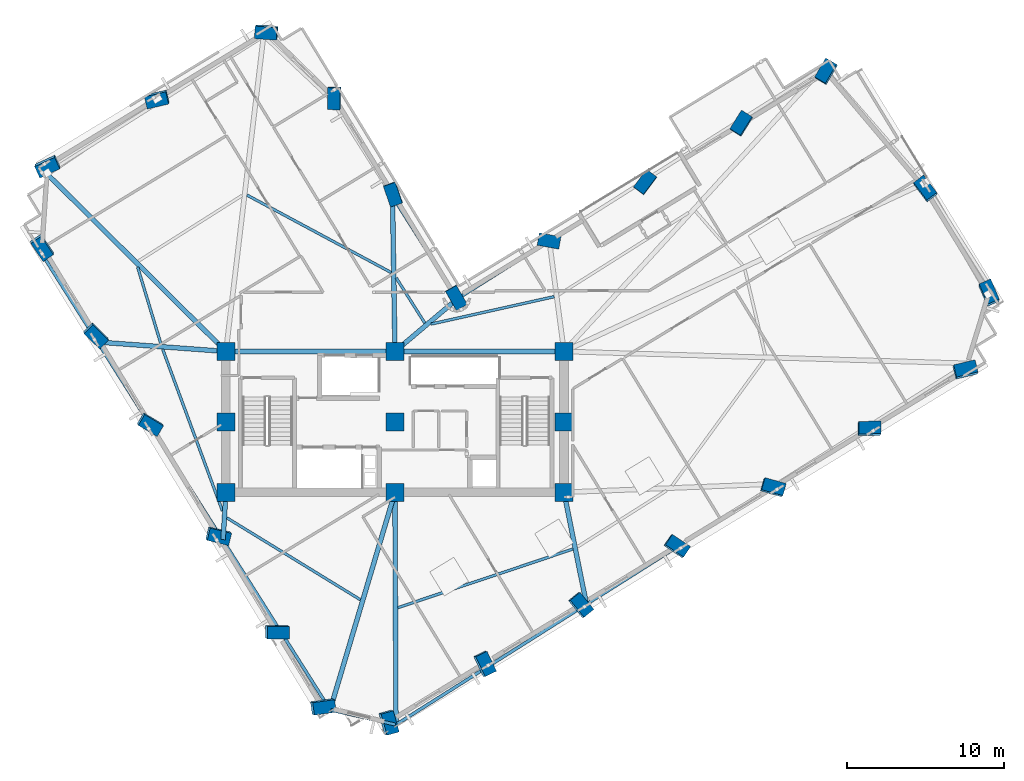
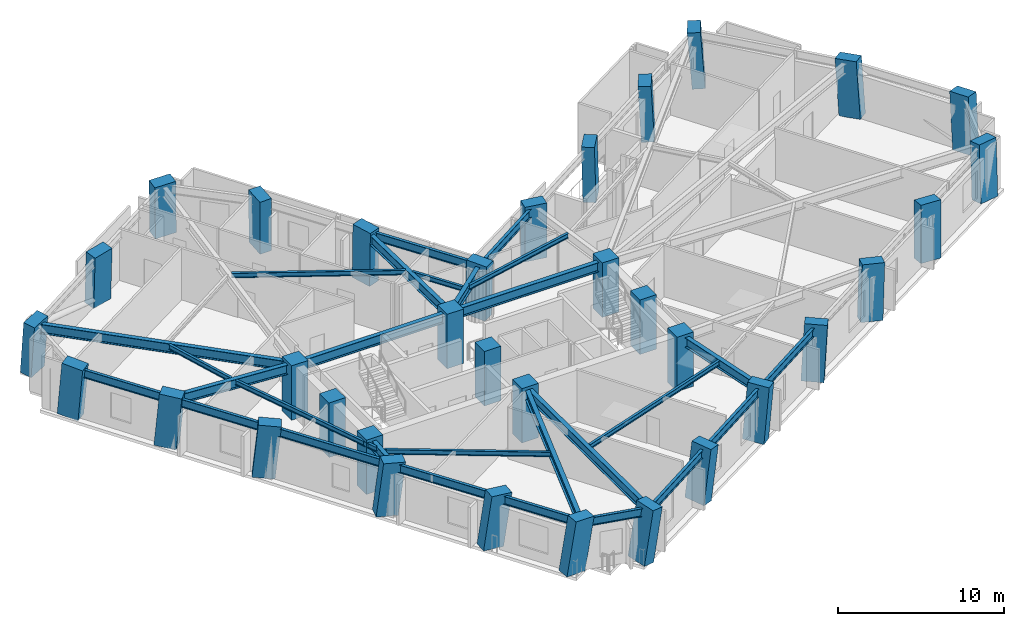
# One storey, part 1 of 14: 34 columns, 28 beams.
"""IFC4 building model written with IfcOpenShell, lengths in metres."""

from ifc_helpers import new_model, si_unit, direction, frame, origin, origin_2d, place, context, subcontext, project, spatial, rectangle, i_section, extrude, material, material_profile, profile_set, type_object, element, save


model = new_model("IFC4")

# Units and contexts
model_context = context("Model", 3, precision=1e-05, world=origin(), true_north=direction((0.0, 1.0)))
body_context = subcontext(model_context, "Body", "Model", "MODEL_VIEW")
ifc_project = project(units=[si_unit("LENGTHUNIT", "METRE"), si_unit("AREAUNIT", "SQUARE_METRE"), si_unit("VOLUMEUNIT", "CUBIC_METRE"), si_unit("PLANEANGLEUNIT", "RADIAN"), si_unit("MASSUNIT", "GRAM", prefix="KILO")], contexts=[model_context])

# Site, building, storey
site_placement = place(None, origin())
site = spatial("IfcSite", under=ifc_project, at=site_placement, CompositionType="ELEMENT")
building_placement = place(site_placement, origin())
building = spatial("IfcBuilding", under=site, at=building_placement, Name="Gaonmaruhae Medical Tower", CompositionType="ELEMENT")
storey_placement = place(building_placement, frame((0.0, 0.0, 157.800048828125)))
storey = spatial("IfcBuildingStorey", under=building, at=storey_placement, Name="L37", CompositionType="ELEMENT", Elevation=157.800048828125)

# Columns
ifc_material_1 = material(Name="Concrete C50/60", Category="concrete")
ifc_material_profile_1 = material_profile(ifc_material_1, rectangle(XDim=1.14990234375, YDim=1.14990234375, at=origin_2d()), Name="RC-1150x1150")
ifc_profile_set_1 = profile_set([ifc_material_profile_1], Name="Concrete C50/60")
column_type_1 = type_object("IfcColumnType", Name="CC-04 Zone 3 Core Column (RC-1150x1150)", PredefinedType="COLUMN", material=ifc_profile_set_1)
for number, where, z_axis, x_axis, name in (
    (1, (14.0, 7.800048828125, 0.0), (0.0, 0.0, 1.0), (1.0, 0.0, 0.0), "L37 Plumb Core Column CC11"),
    (2, (14.0, 12.300048828125, 0.0), (0.0, 0.0, 1.0), (1.0, 0.0, 0.0), "L37 Plumb Core Column CC12"),
    (3, (14.0, 16.800048828125, 0.0), (0.0, 0.0, 1.0), (1.0, 0.0, 0.0), "L37 Plumb Core Column CC13"),
    (4, (24.800048828125, 7.800048828125, 0.0), (0.0, 0.0, 1.0), (1.0, 0.0, 0.0), "L37 Plumb Core Column CC21"),
    (5, (24.800048828125, 12.300048828125, 0.0), (0.0, 0.0, 1.0), (1.0, 0.0, 0.0), "L37 Plumb Core Column CC22"),
    (6, (24.800048828125, 16.800048828125, 0.0), (0.0, 0.0, 1.0), (1.0, 0.0, 0.0), "L37 Plumb Core Column CC23"),
    (7, (35.60009765625, 7.800048828125, 0.0), (0.0, 0.0, 1.0), (1.0, 0.0, 0.0), "L37 Plumb Core Column CC31"),
    (8, (35.60009765625, 12.300048828125, 0.0), (0.0, 0.0, 1.0), (1.0, 0.0, 0.0), "L37 Plumb Core Column CC32"),
    (9, (35.60009765625, 16.800048828125, 0.0), (0.0, 0.0, 1.0), (1.0, 0.0, 0.0), "L37 Plumb Core Column CC33"),
):
    element("IfcColumn", number, at=place(storey_placement, frame(where, z_axis=z_axis, x_axis=x_axis)), inside=storey, type_object=column_type_1, Name=name, PredefinedType="COLUMN", context=body_context, shape_type="SweptSolid", body=[
        extrude(rectangle(XDim=1.14990234375, YDim=1.14990234375, at=origin_2d()), origin(), (0.0, 0.0, 1.0), 4.0),
    ])
ifc_material_2 = material(Name="Concrete C60/75", Category="concrete")
ifc_material_profile_2 = material_profile(ifc_material_2, rectangle(XDim=1.39990234375, YDim=0.800048828125, at=origin_2d()), Name="RC-1400x800")
ifc_profile_set_2 = profile_set([ifc_material_profile_2], Name="Concrete C60/75")
column_type_2 = type_object("IfcColumnType", Name="TC-02 Mid Raking Tube Pier Column (RC-1400x800)", PredefinedType="COLUMN", material=ifc_profile_set_2)
column_1_placement = place(storey_placement, frame((24.33837890625, -6.896240234375, 0.001708984375), z_axis=(0.130495517733, -0.03692127357, 0.990761191917), x_axis=(-0.263489919955, 0.962078340287, 0.070557276254)))
element("IfcColumn", 10, at=column_1_placement, inside=storey, type_object=column_type_2, Name="L37 Perimeter Tube Column S01", PredefinedType="COLUMN", context=body_context, shape_type="SweptSolid", body=[
    extrude(rectangle(XDim=1.39990234375, YDim=0.800048828125, at=origin_2d()), origin(), (0.0, 0.0, 1.0), 4.03369140625),
])
column_2_placement = place(storey_placement, frame((30.4873046875, -3.150146484375, 0.001708984375), z_axis=(0.115171051913, -0.011893322537, 0.99327447248), x_axis=(-0.426308266641, 0.902570018254, 0.060238060582)))
element("IfcColumn", 11, at=column_2_placement, inside=storey, type_object=column_type_2, Name="L37 Perimeter Tube Column S02", PredefinedType="COLUMN", context=body_context, shape_type="SweptSolid", body=[
    extrude(rectangle(XDim=1.39990234375, YDim=0.800048828125, at=origin_2d()), origin(), (0.0, 0.0, 1.0), 4.0234375),
])
column_3_placement = place(storey_placement, frame((36.635986328125, 0.595703125, 0.001708984375), z_axis=(0.099741554254, 0.013371811052, 0.994923523204), x_axis=(-0.626510153126, 0.777652782752, 0.052356255671)))
element("IfcColumn", 12, at=column_3_placement, inside=storey, type_object=column_type_2, Name="L37 Perimeter Tube Column S03", PredefinedType="COLUMN", context=body_context, shape_type="SweptSolid", body=[
    extrude(rectangle(XDim=1.39990234375, YDim=0.800048828125, at=origin_2d()), origin(), (0.0, 0.0, 1.0), 4.016845703125),
])
column_4_placement = place(storey_placement, frame((42.784912109375, 4.341796875, 0.001708984375), z_axis=(0.084126390041, 0.038565532383, 0.995708516691), x_axis=(-0.826791669794, 0.560443862789, 0.048147808071)))
element("IfcColumn", 13, at=column_4_placement, inside=storey, type_object=column_type_2, Name="L37 Perimeter Tube Column S04", PredefinedType="COLUMN", context=body_context, shape_type="SweptSolid", body=[
    extrude(rectangle(XDim=1.39990234375, YDim=0.800048828125, at=origin_2d()), origin(), (0.0, 0.0, 1.0), 4.013671875),
])
column_5_placement = place(storey_placement, frame((48.93359375, 8.087646484375, 0.001708984375), z_axis=(0.06842576, 0.063864042666, 0.995610013722), x_axis=(-0.961375750073, 0.270897328505, 0.048696042758)))
element("IfcColumn", 14, at=column_5_placement, inside=storey, type_object=column_type_2, Name="L37 Perimeter Tube Column S05", PredefinedType="COLUMN", context=body_context, shape_type="SweptSolid", body=[
    extrude(rectangle(XDim=1.39990234375, YDim=0.800048828125, at=origin_2d()), origin(), (0.0, 0.0, 1.0), 4.013916015625),
])
column_6_placement = place(storey_placement, frame((55.08251953125, 11.83349609375, 0.001708984375), z_axis=(0.052681851679, 0.089018353759, 0.994635790226), x_axis=(-0.998496894363, -0.010383795381, 0.053815692324)))
element("IfcColumn", 15, at=column_6_placement, inside=storey, type_object=column_type_2, Name="L37 Perimeter Tube Column S06", PredefinedType="COLUMN", context=body_context, shape_type="SweptSolid", body=[
    extrude(rectangle(XDim=1.39990234375, YDim=0.800048828125, at=origin_2d()), origin(), (0.0, 0.0, 1.0), 4.017822265625),
])
column_7_placement = place(storey_placement, frame((61.231201171875, 15.57958984375, 0.001708984375), z_axis=(0.036996840593, 0.114023049697, 0.992788989627), x_axis=(-0.971725472627, -0.227727901061, 0.062366729324)))
element("IfcColumn", 16, at=column_7_placement, inside=storey, type_object=column_type_2, Name="L37 Perimeter Tube Column S07", PredefinedType="COLUMN", context=body_context, shape_type="SweptSolid", body=[
    extrude(rectangle(XDim=1.39990234375, YDim=0.800048828125, at=origin_2d()), origin(), (0.0, 0.0, 1.0), 4.025390625),
])
column_8_placement = place(storey_placement, frame((62.750244140625, 20.486328125, 0.001708984375), z_axis=(0.016736781521, 0.120068215257, 0.992624553308), x_axis=(0.398248918499, -0.911416085067, 0.103530279609)))
element("IfcColumn", 17, at=column_8_placement, inside=storey, type_object=column_type_2, Name="L37 Perimeter Tube Column E01", PredefinedType="COLUMN", context=body_context, shape_type="SweptSolid", body=[
    extrude(rectangle(XDim=1.39990234375, YDim=0.800048828125, at=origin_2d()), origin(), (0.0, 0.0, 1.0), 4.026123046875),
])
column_9_placement = place(storey_placement, frame((58.692138671875, 27.1474609375, 0.001708984375), z_axis=(-0.010511571788, 0.103353662496, 0.994589124869), x_axis=(0.603537659278, -0.792383162423, 0.088719883581)))
element("IfcColumn", 18, at=column_9_placement, inside=storey, type_object=column_type_2, Name="L37 Perimeter Tube Column E02", PredefinedType="COLUMN", context=body_context, shape_type="SweptSolid", body=[
    extrude(rectangle(XDim=1.39990234375, YDim=0.800048828125, at=origin_2d()), origin(), (0.0, 0.0, 1.0), 4.01806640625),
])
column_10_placement = place(storey_placement, frame((52.364501953125, 34.65087890625, 0.001708984375), z_axis=(-0.041321821277, 0.077105666507, 0.996166262869), x_axis=(-0.507918360748, -0.860202023812, 0.045512822849)))
element("IfcColumn", 19, at=column_10_placement, inside=storey, type_object=column_type_2, Name="L37 Perimeter Tube Column E03", PredefinedType="COLUMN", context=body_context, shape_type="SweptSolid", body=[
    extrude(rectangle(XDim=1.39990234375, YDim=0.800048828125, at=origin_2d()), origin(), (0.0, 0.0, 1.0), 4.01171875),
])
column_11_placement = place(storey_placement, frame((46.941650390625, 31.34716796875, 0.001708984375), z_axis=(-0.027560961981, 0.054938997223, 0.998109262535), x_axis=(-0.530488969192, -0.847088466236, 0.031977866333)))
element("IfcColumn", 20, at=column_11_placement, inside=storey, type_object=column_type_2, Name="L37 Perimeter Tube Column EN01", PredefinedType="COLUMN", context=body_context, shape_type="SweptSolid", body=[
    extrude(rectangle(XDim=1.39990234375, YDim=0.800048828125, at=origin_2d()), origin(), (0.0, 0.0, 1.0), 4.00390625),
])
column_12_placement = place(storey_placement, frame((40.792724609375, 27.60107421875, 0.001708984375), z_axis=(-0.011845597943, 0.029736114424, 0.999487591373), x_axis=(-0.600934371132, -0.799124871358, 0.016652974791)))
element("IfcColumn", 21, at=column_12_placement, inside=storey, type_object=column_type_2, Name="L37 Perimeter Tube Column EN02", PredefinedType="COLUMN", context=body_context, shape_type="SweptSolid", body=[
    extrude(rectangle(XDim=1.39990234375, YDim=0.800048828125, at=origin_2d()), origin(), (0.0, 0.0, 1.0), 3.998291015625),
])
column_13_placement = place(storey_placement, frame((34.64404296875, 23.855224609375, 0.001708984375), z_axis=(0.003848673761, 0.004337394239, 0.999983187219), x_axis=(-0.984086368833, 0.177665182712, 0.003016874168)))
element("IfcColumn", 22, at=column_13_placement, inside=storey, type_object=column_type_2, Name="L37 Perimeter Tube Column EN03", PredefinedType="COLUMN", context=body_context, shape_type="SweptSolid", body=[
    extrude(rectangle(XDim=1.39990234375, YDim=0.800048828125, at=origin_2d()), origin(), (0.0, 0.0, 1.0), 3.996337890625),
])
column_14_placement = place(storey_placement, frame((28.708740234375, 20.2392578125, 0.001708984375), z_axis=(0.019053111064, -0.020091261347, 0.999616586585), x_axis=(-0.497184157498, 0.867227727399, 0.026906920365)))
element("IfcColumn", 23, at=column_14_placement, inside=storey, type_object=column_type_2, Name="L37 Perimeter Tube Column KN01", PredefinedType="COLUMN", context=body_context, shape_type="SweptSolid", body=[
    extrude(rectangle(XDim=1.39990234375, YDim=0.800048828125, at=origin_2d()), origin(), (0.0, 0.0, 1.0), 3.997802734375),
])
column_15_placement = place(storey_placement, frame((24.676513671875, 26.85791015625, 0.001708984375), z_axis=(-0.008180309304, -0.037055580205, 0.999279723859), x_axis=(-0.324069376785, 0.945478073215, 0.032407593253)))
element("IfcColumn", 24, at=column_15_placement, inside=storey, type_object=column_type_2, Name="L37 Perimeter Tube Column NE01", PredefinedType="COLUMN", context=body_context, shape_type="SweptSolid", body=[
    extrude(rectangle(XDim=1.39990234375, YDim=0.800048828125, at=origin_2d()), origin(), (0.0, 0.0, 1.0), 3.999267578125),
])
column_16_placement = place(storey_placement, frame((20.9306640625, 33.006591796875, 0.001708984375), z_axis=(-0.033534518386, -0.052679679792, 0.998048239021), x_axis=(0.018821904997, 0.998399508653, 0.053330638599)))
element("IfcColumn", 25, at=column_16_placement, inside=storey, type_object=column_type_2, Name="L37 Perimeter Tube Column NE02", PredefinedType="COLUMN", context=body_context, shape_type="SweptSolid", body=[
    extrude(rectangle(XDim=1.39990234375, YDim=0.800048828125, at=origin_2d()), origin(), (0.0, 0.0, 1.0), 4.004150390625),
])
column_17_placement = place(storey_placement, frame((16.60595703125, 37.22216796875, 0.001708984375), z_axis=(-0.050696300595, -0.070597489424, 0.996215779635), x_axis=(0.995994383775, -0.077139317249, 0.045218505326)))
element("IfcColumn", 26, at=column_17_placement, inside=storey, type_object=column_type_2, Name="L37 Perimeter Tube Column N01", PredefinedType="COLUMN", context=body_context, shape_type="SweptSolid", body=[
    extrude(rectangle(XDim=1.39990234375, YDim=0.800048828125, at=origin_2d()), origin(), (0.0, 0.0, 1.0), 4.011474609375),
])
column_18_placement = place(storey_placement, frame((9.603271484375, 32.955810546875, 0.001708984375), z_axis=(-0.032808767098, -0.099155385009, 0.994530941914), x_axis=(0.973312929666, 0.222955959714, 0.054337657051)))
element("IfcColumn", 27, at=column_18_placement, inside=storey, type_object=column_type_2, Name="L37 Perimeter Tube Column N02", PredefinedType="COLUMN", context=body_context, shape_type="SweptSolid", body=[
    extrude(rectangle(XDim=1.39990234375, YDim=0.800048828125, at=origin_2d()), origin(), (0.0, 0.0, 1.0), 4.018310546875),
])
column_19_placement = place(storey_placement, frame((2.600341796875, 28.689697265625, 0.001708984375), z_axis=(-0.014904008756, -0.127532270045, 0.99172243628), x_axis=(0.908122138769, 0.413342067072, 0.066802070824)))
element("IfcColumn", 28, at=column_19_placement, inside=storey, type_object=column_type_2, Name="L37 Perimeter Tube Column N03", PredefinedType="COLUMN", context=body_context, shape_type="SweptSolid", body=[
    extrude(rectangle(XDim=1.39990234375, YDim=0.800048828125, at=origin_2d()), origin(), (0.0, 0.0, 1.0), 4.02978515625),
])
column_20_placement = place(storey_placement, frame((2.24951171875, 23.499267578125, 0.001708984375), z_axis=(0.006421586206, -0.128795210131, 0.991650420803), x_axis=(-0.561790948071, 0.819916255425, 0.110128401217)))
element("IfcColumn", 29, at=column_20_placement, inside=storey, type_object=column_type_2, Name="L37 Perimeter Tube Column W01", PredefinedType="COLUMN", context=body_context, shape_type="SweptSolid", body=[
    extrude(rectangle(XDim=1.39990234375, YDim=0.800048828125, at=origin_2d()), origin(), (0.0, 0.0, 1.0), 4.030029296875),
])
column_21_placement = place(storey_placement, frame((5.683349609375, 17.863037109375, 0.001708984375), z_axis=(0.029481291731, -0.114710128938, 0.99296144928), x_axis=(-0.714969676256, 0.691800343152, 0.101146662078)))
element("IfcColumn", 30, at=column_21_placement, inside=storey, type_object=column_type_2, Name="L37 Perimeter Tube Column W02", PredefinedType="COLUMN", context=body_context, shape_type="SweptSolid", body=[
    extrude(rectangle(XDim=1.39990234375, YDim=0.800048828125, at=origin_2d()), origin(), (0.0, 0.0, 1.0), 4.024658203125),
])
column_22_placement = place(storey_placement, frame((9.14306640625, 12.183837890625, 0.001708984375), z_axis=(0.052806842128, -0.100272302524, 0.993557699769), x_axis=(-0.855705852019, 0.508331295313, 0.096782173078)))
element("IfcColumn", 31, at=column_22_placement, inside=storey, type_object=column_type_2, Name="L37 Perimeter Tube Column W03", PredefinedType="COLUMN", context=body_context, shape_type="SweptSolid", body=[
    extrude(rectangle(XDim=1.39990234375, YDim=0.800048828125, at=origin_2d()), origin(), (0.0, 0.0, 1.0), 4.022216796875),
])
column_23_placement = place(storey_placement, frame((13.4873046875, 5.052978515625, 0.001708984375), z_axis=(0.082036572403, -0.082157928279, 0.993237169869), x_axis=(-0.967499875139, 0.232621470961, 0.099152624038)))
element("IfcColumn", 32, at=column_23_placement, inside=storey, type_object=column_type_2, Name="L37 Perimeter Tube Column W04", PredefinedType="COLUMN", context=body_context, shape_type="SweptSolid", body=[
    extrude(rectangle(XDim=1.39990234375, YDim=0.800048828125, at=origin_2d()), origin(), (0.0, 0.0, 1.0), 4.0234375),
])
column_24_placement = place(storey_placement, frame((17.2333984375, -1.095947265625, 0.001708984375), z_axis=(0.107027525068, -0.066422518389, 0.992034857215), x_axis=(-0.99418606238, 0.004689595971, 0.107573607633)))
element("IfcColumn", 33, at=column_24_placement, inside=storey, type_object=column_type_2, Name="L37 Perimeter Tube Column W05", PredefinedType="COLUMN", context=body_context, shape_type="SweptSolid", body=[
    extrude(rectangle(XDim=1.39990234375, YDim=0.800048828125, at=origin_2d()), origin(), (0.0, 0.0, 1.0), 4.0283203125),
])
column_25_placement = place(storey_placement, frame((20.14697265625, -5.878173828125, 0.001708984375), z_axis=(0.126406359799, -0.05421737596, 0.990495789161), x_axis=(-0.982478295762, -0.144703024764, 0.117462474779)))
element("IfcColumn", 34, at=column_25_placement, inside=storey, type_object=column_type_2, Name="L37 Perimeter Tube Column W06", PredefinedType="COLUMN", context=body_context, shape_type="SweptSolid", body=[
    extrude(rectangle(XDim=1.39990234375, YDim=0.800048828125, at=origin_2d()), origin(), (0.0, 0.0, 1.0), 4.03466796875),
])

# Beams
ifc_material_3 = material(Name="Steel SM355", Category="steel")
ifc_material_profile_3 = material_profile(ifc_material_3, i_section(OverallWidth=0.175048828125, OverallDepth=0.35009765625, WebThickness=0.007080078125, FlangeThickness=0.010986328125, FilletRadius=0.012939453125, at=origin_2d()), Name="H-350x175x7x11")
ifc_profile_set_3 = profile_set([ifc_material_profile_3], Name="Steel SM355")
beam_type_1 = type_object("IfcBeamType", Name="FJ-02 Upper Zone Ward Floor Joist (H-350x175x7x11)", PredefinedType="JOIST", material=ifc_profile_set_3)
beam_1_placement = place(storey_placement, frame((24.988037109375, 0.429443359375, 3.60498046875), z_axis=(0.948216421477, 0.31762496445, 0.0), x_axis=(-0.31762496445, 0.948216421477, 0.0)))
element("IfcBeam", 35, at=beam_1_placement, inside=storey, type_object=beam_type_1, Name="L37 Secondary Floor Joist FJ01", PredefinedType="JOIST", context=body_context, shape_type="SweptSolid", body=[
    extrude(i_section(OverallWidth=0.175048828125, OverallDepth=0.35009765625, WebThickness=0.007080078125, FlangeThickness=0.010986328125, FilletRadius=0.012939453125, at=origin_2d()), origin(), (0.0, 0.0, 1.0), 11.791748046875),
])
beam_2_placement = place(storey_placement, frame((34.976806640625, 20.30224609375, 3.60498046875), z_axis=(-0.976085681426, -0.217386159898, 0.0), x_axis=(0.217386159898, -0.976085681426, 0.0)))
element("IfcBeam", 36, at=beam_2_placement, inside=storey, type_object=beam_type_1, Name="L37 Secondary Floor Joist FJ07", PredefinedType="JOIST", context=body_context, shape_type="SweptSolid", body=[
    extrude(i_section(OverallWidth=0.175048828125, OverallDepth=0.35009765625, WebThickness=0.007080078125, FlangeThickness=0.010986328125, FilletRadius=0.012939453125, at=origin_2d()), origin(), (0.0, 0.0, 1.0), 8.0546875),
])
beam_3_placement = place(storey_placement, frame((26.708251953125, 18.612548828125, 3.60498046875), z_axis=(-0.534344423992, 0.845266843398, 0.0), x_axis=(-0.845266843398, -0.534344423992, 0.0)))
element("IfcBeam", 37, at=beam_3_placement, inside=storey, type_object=beam_type_1, Name="L37 Secondary Floor Joist FJ08", PredefinedType="JOIST", context=body_context, shape_type="SweptSolid", body=[
    extrude(i_section(OverallWidth=0.175048828125, OverallDepth=0.35009765625, WebThickness=0.007080078125, FlangeThickness=0.010986328125, FilletRadius=0.012939453125, at=origin_2d()), origin(), (0.0, 0.0, 1.0), 3.423583984375),
])
beam_4_placement = place(storey_placement, frame((24.565185546875, 21.8388671875, 3.60498046875), z_axis=(-0.880923271203, 0.473259115342, 0.0), x_axis=(-0.473259115342, -0.880923271203, 0.0)))
element("IfcBeam", 38, at=beam_4_placement, inside=storey, type_object=beam_type_1, Name="L37 Secondary Floor Joist FJ09", PredefinedType="JOIST", context=body_context, shape_type="SweptSolid", body=[
    extrude(i_section(OverallWidth=0.175048828125, OverallDepth=0.35009765625, WebThickness=0.007080078125, FlangeThickness=0.010986328125, FilletRadius=0.012939453125, at=origin_2d()), origin(), (0.0, 0.0, 1.0), 10.46240234375),
])
beam_5_placement = place(storey_placement, frame((8.36328125, 22.179931640625, 3.60498046875), z_axis=(0.289774060289, -0.957095080952, 0.0), x_axis=(0.957095080952, 0.289774060289, 0.0)))
element("IfcBeam", 39, at=beam_5_placement, inside=storey, type_object=beam_type_1, Name="L37 Secondary Floor Joist FJ11", PredefinedType="JOIST", context=body_context, shape_type="SweptSolid", body=[
    extrude(i_section(OverallWidth=0.175048828125, OverallDepth=0.35009765625, WebThickness=0.007080078125, FlangeThickness=0.010986328125, FilletRadius=0.012939453125, at=origin_2d()), origin(), (0.0, 0.0, 1.0), 5.14013671875),
])
beam_6_placement = place(storey_placement, frame((9.960205078125, 16.9404296875, 3.60498046875), z_axis=(0.346785476657, -0.937944472333, 0.0), x_axis=(0.937944472333, 0.346785476657, 0.0)))
element("IfcBeam", 40, at=beam_6_placement, inside=storey, type_object=beam_type_1, Name="L37 Secondary Floor Joist FJ12", PredefinedType="JOIST", context=body_context, shape_type="SweptSolid", body=[
    extrude(i_section(OverallWidth=0.175048828125, OverallDepth=0.35009765625, WebThickness=0.007080078125, FlangeThickness=0.010986328125, FilletRadius=0.012939453125, at=origin_2d()), origin(), (0.0, 0.0, 1.0), 11.006591796875),
])
beam_7_placement = place(storey_placement, frame((14.058837890625, 6.169189453125, 3.60498046875), z_axis=(0.852424524126, -0.5228502947, 0.0), x_axis=(0.5228502947, 0.852424524126, 0.0)))
element("IfcBeam", 41, at=beam_7_placement, inside=storey, type_object=beam_type_1, Name="L37 Secondary Floor Joist FJ13", PredefinedType="JOIST", context=body_context, shape_type="SweptSolid", body=[
    extrude(i_section(OverallWidth=0.175048828125, OverallDepth=0.35009765625, WebThickness=0.007080078125, FlangeThickness=0.010986328125, FilletRadius=0.012939453125, at=origin_2d()), origin(), (0.0, 0.0, 1.0), 10.00927734375),
])
ifc_material_4 = material(Name="Steel SM420", Category="steel")
ifc_material_profile_4 = material_profile(ifc_material_4, i_section(OverallWidth=0.300048828125, OverallDepth=0.699951171875, WebThickness=0.012939453125, FlangeThickness=0.02392578125, FilletRadius=0.01806640625, at=origin_2d()), Name="H-700x300x13x24")
ifc_profile_set_4 = profile_set([ifc_material_profile_4], Name="Steel SM420")
beam_type_2 = type_object("IfcBeamType", Name="PG-03 Zone 3 Radial Floor Girder (H-700x300x13x24)", PredefinedType="BEAM", material=ifc_profile_set_4)
for number, where, z_axis, x_axis, name in (
    (42, (14.050048828125, 16.800048828125, 3.429931640625), (1.0, 0.0, 0.0), (0.0, 1.0, 0.0), "L37 Beam BM-L37-CG-N1"),
    (43, (24.85009765625, 16.800048828125, 3.429931640625), (1.0, 0.0, 0.0), (0.0, 1.0, 0.0), "L37 Beam BM-L37-CG-N2"),
):
    element("IfcBeam", number, at=place(storey_placement, frame(where, z_axis=z_axis, x_axis=x_axis)), inside=storey, type_object=beam_type_2, Name=name, PredefinedType="BEAM", context=body_context, shape_type="SweptSolid", body=[
        extrude(i_section(OverallWidth=0.300048828125, OverallDepth=0.699951171875, WebThickness=0.012939453125, FlangeThickness=0.02392578125, FilletRadius=0.01806640625, at=origin_2d()), origin(), (0.0, 0.0, 1.0), 10.699951171875),
    ])
beam_8_placement = place(storey_placement, frame((24.80029296875, 7.75, 3.429931640625), z_axis=(0.004371036277, -0.999990446975, 0.0), x_axis=(0.999990446975, 0.004371036277, 0.0)))
element("IfcBeam", 44, at=beam_8_placement, inside=storey, type_object=beam_type_2, Name="L37 Radial Primary Girder S01", PredefinedType="BEAM", context=body_context, shape_type="SweptSolid", body=[
    extrude(i_section(OverallWidth=0.300048828125, OverallDepth=0.699951171875, WebThickness=0.012939453125, FlangeThickness=0.02392578125, FilletRadius=0.01806640625, at=origin_2d()), origin(), (0.0, 0.0, 1.0), 14.74560546875),
])
beam_9_placement = place(storey_placement, frame((35.60986328125, 7.7509765625, 3.429931640625), z_axis=(0.196984123034, -0.980406678513, 0.0), x_axis=(0.980406678513, 0.196984123034, 0.0)))
element("IfcBeam", 45, at=beam_9_placement, inside=storey, type_object=beam_type_2, Name="L37 Radial Primary Girder S03", PredefinedType="BEAM", context=body_context, shape_type="SweptSolid", body=[
    extrude(i_section(OverallWidth=0.300048828125, OverallDepth=0.699951171875, WebThickness=0.012939453125, FlangeThickness=0.02392578125, FilletRadius=0.01806640625, at=origin_2d()), origin(), (0.0, 0.0, 1.0), 7.193359375),
])
beam_10_placement = place(storey_placement, frame((24.838134765625, 16.832275390625, 3.429931640625), z_axis=(0.764611387704, 0.644491602578, 0.0), x_axis=(-0.644491602578, 0.764611387704, 0.0)))
element("IfcBeam", 46, at=beam_10_placement, inside=storey, type_object=beam_type_2, Name="L37 Radial Primary Girder KN01", PredefinedType="BEAM", context=body_context, shape_type="SweptSolid", body=[
    extrude(i_section(OverallWidth=0.300048828125, OverallDepth=0.699951171875, WebThickness=0.012939453125, FlangeThickness=0.02392578125, FilletRadius=0.01806640625, at=origin_2d()), origin(), (0.0, 0.0, 1.0), 5.111572265625),
])
beam_11_placement = place(storey_placement, frame((24.79931640625, 16.85009765625, 3.429931640625), z_axis=(-0.015777030591, 0.999875534907, 0.0), x_axis=(-0.999875534907, -0.015777030591, 0.0)))
element("IfcBeam", 47, at=beam_11_placement, inside=storey, type_object=beam_type_2, Name="L37 Radial Primary Girder NE01", PredefinedType="BEAM", context=body_context, shape_type="SweptSolid", body=[
    extrude(i_section(OverallWidth=0.300048828125, OverallDepth=0.699951171875, WebThickness=0.012939453125, FlangeThickness=0.02392578125, FilletRadius=0.01806640625, at=origin_2d()), origin(), (0.0, 0.0, 1.0), 9.810791015625),
])
beam_12_placement = place(storey_placement, frame((13.964599609375, 16.835205078125, 3.429931640625), z_axis=(-0.709718750301, 0.704485127928, 0.0), x_axis=(-0.704485127928, -0.709718750301, 0.0)))
element("IfcBeam", 48, at=beam_12_placement, inside=storey, type_object=beam_type_2, Name="L37 Radial Primary Girder N03", PredefinedType="BEAM", context=body_context, shape_type="SweptSolid", body=[
    extrude(i_section(OverallWidth=0.300048828125, OverallDepth=0.699951171875, WebThickness=0.012939453125, FlangeThickness=0.02392578125, FilletRadius=0.01806640625, at=origin_2d()), origin(), (0.0, 0.0, 1.0), 16.047119140625),
])
beam_13_placement = place(storey_placement, frame((13.9501953125, 16.8037109375, 3.429931640625), z_axis=(-0.997320738132, 0.073152889836, 0.0), x_axis=(-0.073152889836, -0.997320738132, 0.0)))
element("IfcBeam", 49, at=beam_13_placement, inside=storey, type_object=beam_type_2, Name="L37 Radial Primary Girder W02", PredefinedType="BEAM", context=body_context, shape_type="SweptSolid", body=[
    extrude(i_section(OverallWidth=0.300048828125, OverallDepth=0.699951171875, WebThickness=0.012939453125, FlangeThickness=0.02392578125, FilletRadius=0.01806640625, at=origin_2d()), origin(), (0.0, 0.0, 1.0), 8.119873046875),
])
beam_14_placement = place(storey_placement, frame((13.9970703125, 7.75, 3.429931640625), z_axis=(-0.059254559576, -0.998242904893, 0.0), x_axis=(0.998242904893, -0.059254559576, 0.0)))
element("IfcBeam", 50, at=beam_14_placement, inside=storey, type_object=beam_type_2, Name="L37 Radial Primary Girder W04", PredefinedType="BEAM", context=body_context, shape_type="SweptSolid", body=[
    extrude(i_section(OverallWidth=0.300048828125, OverallDepth=0.699951171875, WebThickness=0.012939453125, FlangeThickness=0.02392578125, FilletRadius=0.01806640625, at=origin_2d()), origin(), (0.0, 0.0, 1.0), 2.98291015625),
])
beam_15_placement = place(storey_placement, frame((24.78564453125, 7.752197265625, 3.429931640625), z_axis=(-0.285683308663, -0.958324082527, 0.0), x_axis=(0.958324082527, -0.285683308663, 0.0)))
element("IfcBeam", 51, at=beam_15_placement, inside=storey, type_object=beam_type_2, Name="L37 Radial Primary Girder W06", PredefinedType="BEAM", context=body_context, shape_type="SweptSolid", body=[
    extrude(i_section(OverallWidth=0.300048828125, OverallDepth=0.699951171875, WebThickness=0.012939453125, FlangeThickness=0.02392578125, FilletRadius=0.01806640625, at=origin_2d()), origin(), (0.0, 0.0, 1.0), 14.4013671875),
])
ifc_material_profile_5 = material_profile(ifc_material_3, i_section(OverallWidth=0.199951171875, OverallDepth=0.60009765625, WebThickness=0.010986328125, FlangeThickness=0.01708984375, FilletRadius=0.012939453125, at=origin_2d()), Name="H-600x200x11x17")
ifc_profile_set_5 = profile_set([ifc_material_profile_5], Name="Steel SM355")
beam_type_3 = type_object("IfcBeamType", Name="SP-01 Lower Perimeter Spandrel Beam (H-600x200x11x17)", PredefinedType="SPANDREL", material=ifc_profile_set_5)
beam_16_placement = place(storey_placement, frame((24.898681640625, -7.02392578125, 3.47998046875), z_axis=(0.845257424017, 0.534359323998, 0.0), x_axis=(-0.534359323998, 0.845257424017, 0.0)))
element("IfcBeam", 52, at=beam_16_placement, inside=storey, type_object=beam_type_3, Name="L37 Perimeter Spandrel Beam S01-S02", PredefinedType="SPANDREL", context=body_context, shape_type="SweptSolid", body=[
    extrude(i_section(OverallWidth=0.199951171875, OverallDepth=0.60009765625, WebThickness=0.010986328125, FlangeThickness=0.01708984375, FilletRadius=0.012939453125, at=origin_2d()), origin(), (0.0, 0.0, 1.0), 7.1201171875),
])
beam_17_placement = place(storey_placement, frame((30.984619140625, -3.176513671875, 3.47998046875), z_axis=(0.845272911286, 0.534334825223, 0.0), x_axis=(-0.534334825223, 0.845272911286, 0.0)))
element("IfcBeam", 53, at=beam_17_placement, inside=storey, type_object=beam_type_3, Name="L37 Perimeter Spandrel Beam S02-S03", PredefinedType="SPANDREL", context=body_context, shape_type="SweptSolid", body=[
    extrude(i_section(OverallWidth=0.199951171875, OverallDepth=0.60009765625, WebThickness=0.010986328125, FlangeThickness=0.01708984375, FilletRadius=0.012939453125, at=origin_2d()), origin(), (0.0, 0.0, 1.0), 7.119873046875),
])
beam_18_placement = place(storey_placement, frame((37.070556640625, 0.670654296875, 3.47998046875), z_axis=(0.845257424017, 0.534359323998, 0.0), x_axis=(-0.534359323998, 0.845257424017, 0.0)))
element("IfcBeam", 54, at=beam_18_placement, inside=storey, type_object=beam_type_3, Name="L37 Perimeter Spandrel Beam S03-S04", PredefinedType="SPANDREL", context=body_context, shape_type="SweptSolid", body=[
    extrude(i_section(OverallWidth=0.199951171875, OverallDepth=0.60009765625, WebThickness=0.010986328125, FlangeThickness=0.01708984375, FilletRadius=0.012939453125, at=origin_2d()), origin(), (0.0, 0.0, 1.0), 7.1201171875),
])
beam_19_placement = place(storey_placement, frame((34.625732421875, 23.851318359375, 3.47998046875), z_axis=(-0.845259987441, -0.534355269115, 0.0), x_axis=(0.534355269115, -0.845259987441, 0.0)))
element("IfcBeam", 55, at=beam_19_placement, inside=storey, type_object=beam_type_3, Name="L37 Perimeter Spandrel Beam EN03-KN01", PredefinedType="SPANDREL", context=body_context, shape_type="SweptSolid", body=[
    extrude(i_section(OverallWidth=0.199951171875, OverallDepth=0.60009765625, WebThickness=0.010986328125, FlangeThickness=0.01708984375, FilletRadius=0.012939453125, at=origin_2d()), origin(), (0.0, 0.0, 1.0), 6.8701171875),
])
beam_20_placement = place(storey_placement, frame((28.763427734375, 20.192626953125, 3.47998046875), z_axis=(-0.534343840707, 0.845267212128, 0.0), x_axis=(-0.845267212128, -0.534343840707, 0.0)))
element("IfcBeam", 56, at=beam_20_placement, inside=storey, type_object=beam_type_3, Name="L37 Perimeter Spandrel Beam KN01-NE01", PredefinedType="SPANDREL", context=body_context, shape_type="SweptSolid", body=[
    extrude(i_section(OverallWidth=0.199951171875, OverallDepth=0.60009765625, WebThickness=0.010986328125, FlangeThickness=0.01708984375, FilletRadius=0.012939453125, at=origin_2d()), origin(), (0.0, 0.0, 1.0), 7.669921875),
])
beam_21_placement = place(storey_placement, frame((2.296875, 22.9462890625, 3.47998046875), z_axis=(0.534333878845, -0.845273509533, 0.0), x_axis=(0.845273509533, 0.534333878845, 0.0)))
element("IfcBeam", 57, at=beam_21_placement, inside=storey, type_object=beam_type_3, Name="L37 Perimeter Spandrel Beam W01-W02", PredefinedType="SPANDREL", context=body_context, shape_type="SweptSolid", body=[
    extrude(i_section(OverallWidth=0.199951171875, OverallDepth=0.60009765625, WebThickness=0.010986328125, FlangeThickness=0.01708984375, FilletRadius=0.012939453125, at=origin_2d()), origin(), (0.0, 0.0, 1.0), 6.52001953125),
])
beam_22_placement = place(storey_placement, frame((5.823486328125, 17.367431640625, 3.47998046875), z_axis=(0.534367634277, -0.845252170324, 0.0), x_axis=(0.845252170324, 0.534367634277, 0.0)))
element("IfcBeam", 58, at=beam_22_placement, inside=storey, type_object=beam_type_3, Name="L37 Perimeter Spandrel Beam W02-W03", PredefinedType="SPANDREL", context=body_context, shape_type="SweptSolid", body=[
    extrude(i_section(OverallWidth=0.199951171875, OverallDepth=0.60009765625, WebThickness=0.010986328125, FlangeThickness=0.01708984375, FilletRadius=0.012939453125, at=origin_2d()), origin(), (0.0, 0.0, 1.0), 6.56982421875),
])
beam_23_placement = place(storey_placement, frame((9.376953125, 11.74658203125, 3.47998046875), z_axis=(0.534351691217, -0.845262249301, 0.0), x_axis=(0.845262249301, 0.534351691217, 0.0)))
element("IfcBeam", 59, at=beam_23_placement, inside=storey, type_object=beam_type_3, Name="L37 Perimeter Spandrel Beam W03-W04", PredefinedType="SPANDREL", context=body_context, shape_type="SweptSolid", body=[
    extrude(i_section(OverallWidth=0.199951171875, OverallDepth=0.60009765625, WebThickness=0.010986328125, FlangeThickness=0.01708984375, FilletRadius=0.012939453125, at=origin_2d()), origin(), (0.0, 0.0, 1.0), 8.270263671875),
])
beam_24_placement = place(storey_placement, frame((13.8388671875, 4.6884765625, 3.47998046875), z_axis=(0.534334825223, -0.845272911286, 0.0), x_axis=(0.845272911286, 0.534334825223, 0.0)))
element("IfcBeam", 60, at=beam_24_placement, inside=storey, type_object=beam_type_3, Name="L37 Perimeter Spandrel Beam W04-W05", PredefinedType="SPANDREL", context=body_context, shape_type="SweptSolid", body=[
    extrude(i_section(OverallWidth=0.199951171875, OverallDepth=0.60009765625, WebThickness=0.010986328125, FlangeThickness=0.01708984375, FilletRadius=0.012939453125, at=origin_2d()), origin(), (0.0, 0.0, 1.0), 7.119873046875),
])
beam_25_placement = place(storey_placement, frame((17.68603515625, -1.3974609375, 3.47998046875), z_axis=(0.534369012379, -0.845251299087, 0.0), x_axis=(0.845251299087, 0.534369012379, 0.0)))
element("IfcBeam", 61, at=beam_25_placement, inside=storey, type_object=beam_type_3, Name="L37 Perimeter Spandrel Beam W05-W06", PredefinedType="SPANDREL", context=body_context, shape_type="SweptSolid", body=[
    extrude(i_section(OverallWidth=0.199951171875, OverallDepth=0.60009765625, WebThickness=0.010986328125, FlangeThickness=0.01708984375, FilletRadius=0.012939453125, at=origin_2d()), origin(), (0.0, 0.0, 1.0), 5.52001953125),
])
beam_26_placement = place(storey_placement, frame((20.696044921875, -6.105712890625, 3.47998046875), z_axis=(0.975536835026, -0.219836037782, 0.0), x_axis=(0.219836037782, 0.975536835026, 0.0)))
element("IfcBeam", 62, at=beam_26_placement, inside=storey, type_object=beam_type_3, Name="L37 Perimeter Spandrel Beam W06-S01", PredefinedType="SPANDREL", context=body_context, shape_type="SweptSolid", body=[
    extrude(i_section(OverallWidth=0.199951171875, OverallDepth=0.60009765625, WebThickness=0.010986328125, FlangeThickness=0.01708984375, FilletRadius=0.012939453125, at=origin_2d()), origin(), (0.0, 0.0, 1.0), 4.2333984375),
])

save(model, "model.ifc")
